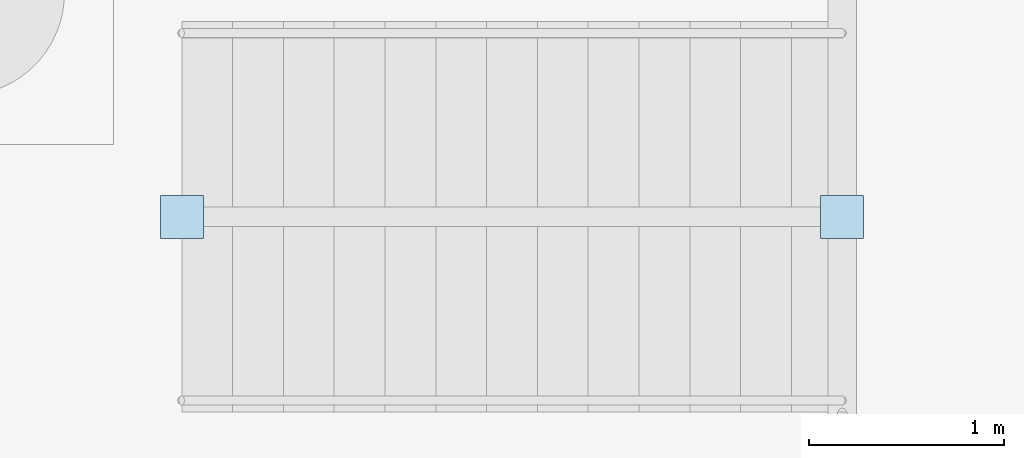
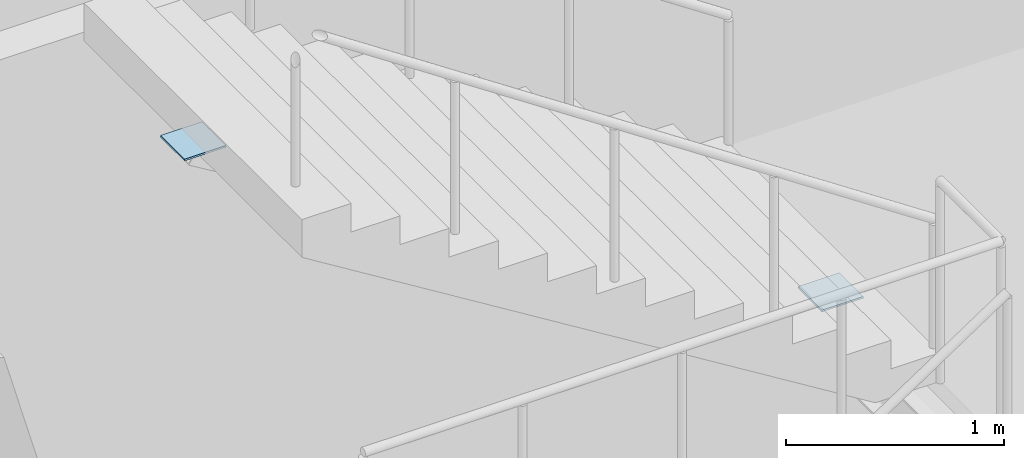
# One storey, part 70 of 93: 2 plates.
"""IFC4 building model written with IfcOpenShell, lengths in metres."""

from ifc_helpers import new_model, si_unit, direction, frame, origin, origin_2d, place, context, subcontext, project, spatial, rectangle, extrude, material, layer, layer_set, type_object, element, save


model = new_model("IFC4")

# Units and contexts
model_context = context("Model", 3, precision=1e-05, world=origin(), true_north=direction((0.0, 1.0)))
body_context = subcontext(model_context, "Body", "Model", "MODEL_VIEW")
ifc_project = project(units=[si_unit("LENGTHUNIT", "METRE"), si_unit("AREAUNIT", "SQUARE_METRE"), si_unit("VOLUMEUNIT", "CUBIC_METRE"), si_unit("PLANEANGLEUNIT", "RADIAN"), si_unit("MASSUNIT", "GRAM", prefix="KILO")], contexts=[model_context])

# Site, building, storey
site_placement = place(None, origin())
site = spatial("IfcSite", under=ifc_project, at=site_placement, CompositionType="ELEMENT")
building_placement = place(site_placement, origin())
building = spatial("IfcBuilding", under=site, at=building_placement, Name="Marnridge Secondary College", CompositionType="ELEMENT")
storey_placement = place(building_placement, origin())
storey = spatial("IfcBuildingStorey", under=building, at=storey_placement, Name="L00", CompositionType="ELEMENT", Elevation=0.0)

# Plates
ifc_material = material(Name="Structural steel plate Grade 350 (AS/NZS 3678, fy = 350 MPa <=12mm, 340 MPa 12-20mm, 330 MPa 20-50mm)", Category="steel")
ifc_layer = layer(ifc_material, 0.010009765625)
ifc_layer_set = layer_set([ifc_layer], Name="PT-CAP-INT")
plate_type = type_object("IfcPlateType", Name="PT-CAP-INT", PredefinedType="SHEET", material=ifc_layer_set)
for number, where, z_axis, x_axis, name in (
    (1, (86.828369140625, 65.030029296875, 2.13818359375), (0.0, 0.0, 1.0), (-1.0, 0.0, 0.0), "Tube end cap STR-012-EC1"),
    (2, (83.45166015625, 65.030029296875, 4.166015625), (0.0, 0.0, 1.0), (-1.0, 0.0, 0.0), "Tube end cap STR-012-EC2"),
):
    element("IfcPlate", number, at=place(storey_placement, frame(where, z_axis=z_axis, x_axis=x_axis)), inside=storey, type_object=plate_type, Name=name, PredefinedType="SHEET", context=body_context, shape_type="SweptSolid", body=[
        extrude(rectangle(XDim=0.219970703125, YDim=0.219970703125, at=origin_2d()), origin(), (0.0, 0.0, 1.0), 0.010009765625),
    ])

save(model, "model.ifc")
